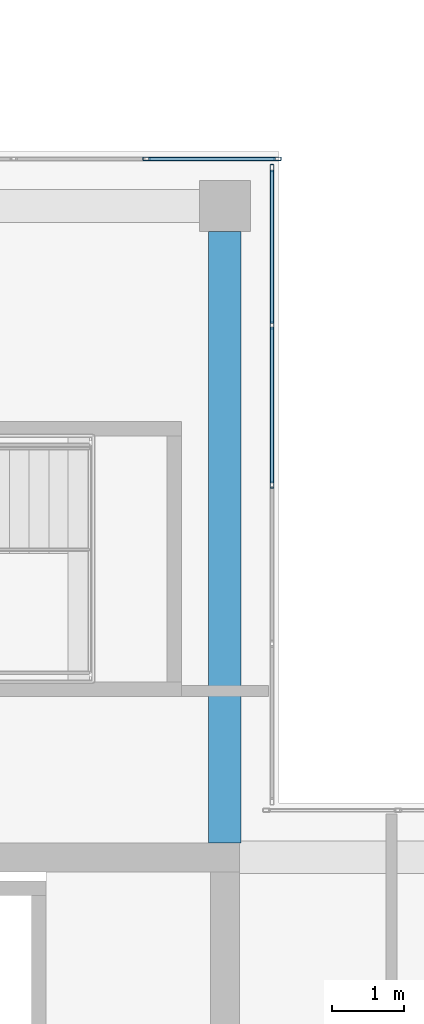
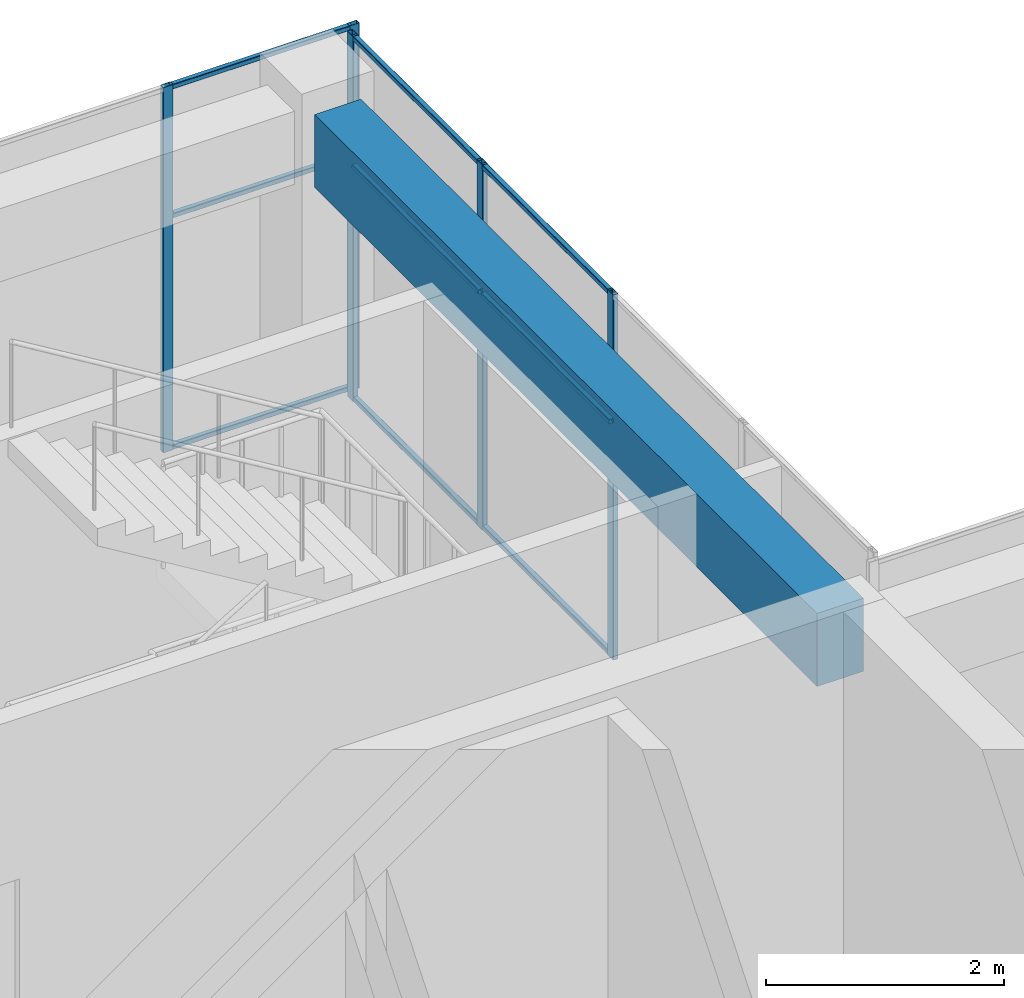
# One storey, part 33 of 43: 14 members, 1 beam, 2 elements without a shape of their own.
"""IFC4 building model written with IfcOpenShell, lengths in metres."""

from ifc_helpers import new_model, si_unit, direction, frame, origin, origin_2d, place, context, subcontext, project, spatial, rectangle, hollow_rectangle, extrude, material, layer, layer_set, material_profile, profile_set, type_object, element, aggregate, save


model = new_model("IFC4")

# Units and contexts
model_context = context("Model", 3, precision=1e-05, world=origin(), true_north=direction((0.0, 1.0)))
body_context = subcontext(model_context, "Body", "Model", "MODEL_VIEW")
ifc_project = project(units=[si_unit("LENGTHUNIT", "METRE"), si_unit("AREAUNIT", "SQUARE_METRE"), si_unit("VOLUMEUNIT", "CUBIC_METRE"), si_unit("PLANEANGLEUNIT", "RADIAN"), si_unit("MASSUNIT", "GRAM", prefix="KILO")], contexts=[model_context])

# Site, building, storey
site_placement = place(None, origin())
site = spatial("IfcSite", under=ifc_project, at=site_placement, CompositionType="ELEMENT")
building_placement = place(site_placement, origin())
building = spatial("IfcBuilding", under=site, at=building_placement, Name="Tuart Plaza Theatre", CompositionType="ELEMENT")
storey_placement = place(building_placement, frame((0.0, 0.0, 33.5)))
storey = spatial("IfcBuildingStorey", under=building, at=storey_placement, Name="L08", CompositionType="ELEMENT", Elevation=33.5)

# Beam
ifc_material_1 = material(Name="Concrete N40 (40 MPa)", Category="concrete")
ifc_material_profile_1 = material_profile(ifc_material_1, rectangle(XDim=0.449951171875, YDim=0.75, at=origin_2d()), Name="BEAM 450x750 Concrete N40 (40 MPa)")
ifc_profile_set_1 = profile_set([ifc_material_profile_1], Name="Concrete N40 (40 MPa)")
beam_type = type_object("IfcBeamType", Name="BEAM 450x750 Concrete N40 (40 MPa)", PredefinedType="BEAM", material=ifc_profile_set_1)
beam_placement = place(storey_placement, frame((141.0, 83.199951171875, 3.375), z_axis=(0.0, 1.0, 0.0), x_axis=(-1.0, 0.0, 0.0)))
element("IfcBeam", 1, at=beam_placement, inside=storey, type_object=beam_type, Name="RB273", PredefinedType="BEAM", context=body_context, shape_type="SweptSolid", body=[
    extrude(rectangle(XDim=0.449951171875, YDim=0.75, at=origin_2d()), origin(), (0.0, 0.0, 1.0), 8.449951171875),
])

# Curtain wall, members
ifc_material_2 = material(Name="Aluminium and glass", Category="aluminium")
ifc_layer_1 = layer(ifc_material_2, 0.10009765625)
ifc_layer_set_1 = layer_set([ifc_layer_1], Name="CURTAIN WALL 2000 module")
curtain_wall_type_1 = type_object("IfcCurtainWallType", Name="CURTAIN WALL 2000 module", PredefinedType="NOTDEFINED", material=ifc_layer_set_1)
curtain_wall_1_placement = place(storey_placement, origin())
curtain_wall_1 = element("IfcCurtainWall", 2, at=curtain_wall_1_placement, inside=storey, type_object=curtain_wall_type_1, Name="CW94", PredefinedType="NOTDEFINED")
ifc_material_3 = material(Name="Aluminium 6063-T5", Category="aluminium")
ifc_material_profile_2 = material_profile(ifc_material_3, hollow_rectangle(XDim=0.050048828125, YDim=0.10009765625, WallThickness=0.00390625, InnerFilletRadius=0.00390625, OuterFilletRadius=0.008056640625, at=origin_2d()), Name="RHS 100x50x4")
ifc_profile_set_2 = profile_set([ifc_material_profile_2], Name="Aluminium 6063-T5")
member_type_1 = type_object("IfcMemberType", Name="MULLION RHS 100x50x4", PredefinedType="MULLION", material=ifc_profile_set_2)
member_1_placement = place(storey_placement, frame((141.64990234375, 88.14990234375, 0.0), z_axis=(0.0, 0.0, 1.0), x_axis=(-1.0, 0.0, 0.0)))
member_1 = element("IfcMember", 3, at=member_1_placement, type_object=member_type_1, Name="CW94 mullion 3", PredefinedType="MULLION", context=body_context, shape_type="SweptSolid", body=[
    extrude(hollow_rectangle(XDim=0.050048828125, YDim=0.10009765625, WallThickness=0.00390625, InnerFilletRadius=0.00390625, OuterFilletRadius=0.008056640625, at=origin_2d()), origin(), (0.0, 0.0, 1.0), 3.75),
])
member_2_placement = place(storey_placement, frame((141.64990234375, 90.35009765625, 0.0), z_axis=(0.0, 0.0, 1.0), x_axis=(-1.0, 0.0, 0.0)))
member_2 = element("IfcMember", 4, at=member_2_placement, type_object=member_type_1, Name="CW94 mullion 4", PredefinedType="MULLION", context=body_context, shape_type="SweptSolid", body=[
    extrude(hollow_rectangle(XDim=0.050048828125, YDim=0.10009765625, WallThickness=0.00390625, InnerFilletRadius=0.00390625, OuterFilletRadius=0.008056640625, at=origin_2d()), origin(), (0.0, 0.0, 1.0), 3.75),
])
member_3_placement = place(storey_placement, frame((141.64990234375, 92.52490234375, 0.0), z_axis=(0.0, 0.0, 1.0), x_axis=(-1.0, 0.0, 0.0)))
member_3 = element("IfcMember", 5, at=member_3_placement, type_object=member_type_1, Name="CW94 mullion 5", PredefinedType="MULLION", context=body_context, shape_type="SweptSolid", body=[
    extrude(hollow_rectangle(XDim=0.050048828125, YDim=0.10009765625, WallThickness=0.00390625, InnerFilletRadius=0.00390625, OuterFilletRadius=0.008056640625, at=origin_2d()), origin(), (0.0, 0.0, 1.0), 3.75),
])

ifc_material_4 = material(Name="Aluminium and glass", Category="aluminium")
ifc_layer_2 = layer(ifc_material_4, 0.10009765625)
ifc_layer_set_2 = layer_set([ifc_layer_2], Name="CURTAIN WALL 1800 module")
curtain_wall_type_2 = type_object("IfcCurtainWallType", Name="CURTAIN WALL 1800 module", PredefinedType="NOTDEFINED", material=ifc_layer_set_2)
curtain_wall_2_placement = place(storey_placement, origin())
curtain_wall_2 = element("IfcCurtainWall", 6, at=curtain_wall_2_placement, inside=storey, type_object=curtain_wall_type_2, Name="CW95", PredefinedType="NOTDEFINED")
member_4_placement = place(storey_placement, frame((141.72509765625, 92.64990234375, 0.0), z_axis=(0.0, 0.0, 1.0), x_axis=(0.0, -1.0, 0.0)))
member_4 = element("IfcMember", 7, at=member_4_placement, type_object=member_type_1, Name="CW95 mullion 1", PredefinedType="MULLION", context=body_context, shape_type="SweptSolid", body=[
    extrude(hollow_rectangle(XDim=0.050048828125, YDim=0.10009765625, WallThickness=0.00390625, InnerFilletRadius=0.00390625, OuterFilletRadius=0.008056640625, at=origin_2d()), origin(), (0.0, 0.0, 1.0), 3.75),
])
member_5_placement = place(storey_placement, frame((139.916748046875, 92.64990234375, 0.0), z_axis=(0.0, 0.0, 1.0), x_axis=(0.0, -1.0, 0.0)))
member_5 = element("IfcMember", 8, at=member_5_placement, type_object=member_type_1, Name="CW95 mullion 2", PredefinedType="MULLION", context=body_context, shape_type="SweptSolid", body=[
    extrude(hollow_rectangle(XDim=0.050048828125, YDim=0.10009765625, WallThickness=0.00390625, InnerFilletRadius=0.00390625, OuterFilletRadius=0.008056640625, at=origin_2d()), origin(), (0.0, 0.0, 1.0), 3.75),
])

# Member
ifc_material_5 = material(Name="Aluminium 6063-T5", Category="aluminium")
ifc_material_profile_3 = material_profile(ifc_material_5, hollow_rectangle(XDim=0.050048828125, YDim=0.050048828125, WallThickness=0.00390625, InnerFilletRadius=0.00390625, OuterFilletRadius=0.008056640625, at=origin_2d()), Name="RHS 50x50x4")
ifc_profile_set_3 = profile_set([ifc_material_profile_3], Name="Aluminium 6063-T5")
member_type_2 = type_object("IfcMemberType", Name="TRANSOM RHS 50x50x4", PredefinedType="USERDEFINED", material=ifc_profile_set_3)
member_6_placement = place(storey_placement, frame((141.64990234375, 88.175048828125, 0.02490234375), z_axis=(0.0, 1.0, 0.0), x_axis=(-1.0, 0.0, 0.0)))
member_6 = element("IfcMember", 9, at=member_6_placement, type_object=member_type_2, Name="CW94 transom 3.1", ObjectType="TRANSOM", PredefinedType="USERDEFINED", context=body_context, shape_type="SweptSolid", body=[
    extrude(hollow_rectangle(XDim=0.050048828125, YDim=0.050048828125, WallThickness=0.00390625, InnerFilletRadius=0.00390625, OuterFilletRadius=0.008056640625, at=origin_2d()), origin(), (0.0, 0.0, 1.0), 2.14990234375),
])

member_7_placement = place(storey_placement, frame((141.64990234375, 88.175048828125, 2.39990234375), z_axis=(0.0, 1.0, 0.0), x_axis=(-1.0, 0.0, 0.0)))
member_7 = element("IfcMember", 10, at=member_7_placement, type_object=member_type_2, Name="CW94 transom 3.2", ObjectType="TRANSOM", PredefinedType="USERDEFINED", context=body_context, shape_type="SweptSolid", body=[
    extrude(hollow_rectangle(XDim=0.050048828125, YDim=0.050048828125, WallThickness=0.00390625, InnerFilletRadius=0.00390625, OuterFilletRadius=0.008056640625, at=origin_2d()), origin(), (0.0, 0.0, 1.0), 2.14990234375),
])

member_8_placement = place(storey_placement, frame((141.64990234375, 88.175048828125, 3.72509765625), z_axis=(0.0, 1.0, 0.0), x_axis=(-1.0, 0.0, 0.0)))
member_8 = element("IfcMember", 11, at=member_8_placement, type_object=member_type_2, Name="CW94 transom 3.3", ObjectType="TRANSOM", PredefinedType="USERDEFINED", context=body_context, shape_type="SweptSolid", body=[
    extrude(hollow_rectangle(XDim=0.050048828125, YDim=0.050048828125, WallThickness=0.00390625, InnerFilletRadius=0.00390625, OuterFilletRadius=0.008056640625, at=origin_2d()), origin(), (0.0, 0.0, 1.0), 2.14990234375),
])

member_9_placement = place(storey_placement, frame((141.64990234375, 90.375, 0.02490234375), z_axis=(0.0, 1.0, 0.0), x_axis=(-1.0, 0.0, 0.0)))
member_9 = element("IfcMember", 12, at=member_9_placement, type_object=member_type_2, Name="CW94 transom 4.1", ObjectType="TRANSOM", PredefinedType="USERDEFINED", context=body_context, shape_type="SweptSolid", body=[
    extrude(hollow_rectangle(XDim=0.050048828125, YDim=0.050048828125, WallThickness=0.00390625, InnerFilletRadius=0.00390625, OuterFilletRadius=0.008056640625, at=origin_2d()), origin(), (0.0, 0.0, 1.0), 2.125),
])

member_10_placement = place(storey_placement, frame((141.64990234375, 90.375, 2.39990234375), z_axis=(0.0, 1.0, 0.0), x_axis=(-1.0, 0.0, 0.0)))
member_10 = element("IfcMember", 13, at=member_10_placement, type_object=member_type_2, Name="CW94 transom 4.2", ObjectType="TRANSOM", PredefinedType="USERDEFINED", context=body_context, shape_type="SweptSolid", body=[
    extrude(hollow_rectangle(XDim=0.050048828125, YDim=0.050048828125, WallThickness=0.00390625, InnerFilletRadius=0.00390625, OuterFilletRadius=0.008056640625, at=origin_2d()), origin(), (0.0, 0.0, 1.0), 2.125),
])

member_11_placement = place(storey_placement, frame((141.64990234375, 90.375, 3.72509765625), z_axis=(0.0, 1.0, 0.0), x_axis=(-1.0, 0.0, 0.0)))
member_11 = element("IfcMember", 14, at=member_11_placement, type_object=member_type_2, Name="CW94 transom 4.3", ObjectType="TRANSOM", PredefinedType="USERDEFINED", context=body_context, shape_type="SweptSolid", body=[
    extrude(hollow_rectangle(XDim=0.050048828125, YDim=0.050048828125, WallThickness=0.00390625, InnerFilletRadius=0.00390625, OuterFilletRadius=0.008056640625, at=origin_2d()), origin(), (0.0, 0.0, 1.0), 2.125),
])

aggregate(curtain_wall_1, [member_1, member_2, member_3, member_6, member_7, member_8, member_9, member_10, member_11])

member_12_placement = place(storey_placement, frame((141.699951171875, 92.64990234375, 0.02490234375), z_axis=(-1.0, 0.0, 0.0), x_axis=(0.0, -1.0, 0.0)))
member_12 = element("IfcMember", 15, at=member_12_placement, type_object=member_type_2, Name="CW95 transom 1.1", ObjectType="TRANSOM", PredefinedType="USERDEFINED", context=body_context, shape_type="SweptSolid", body=[
    extrude(hollow_rectangle(XDim=0.050048828125, YDim=0.050048828125, WallThickness=0.00390625, InnerFilletRadius=0.00390625, OuterFilletRadius=0.008056640625, at=origin_2d()), origin(), (0.0, 0.0, 1.0), 1.75830078125),
])

member_13_placement = place(storey_placement, frame((141.699951171875, 92.64990234375, 2.39990234375), z_axis=(-1.0, 0.0, 0.0), x_axis=(0.0, -1.0, 0.0)))
member_13 = element("IfcMember", 16, at=member_13_placement, type_object=member_type_2, Name="CW95 transom 1.2", ObjectType="TRANSOM", PredefinedType="USERDEFINED", context=body_context, shape_type="SweptSolid", body=[
    extrude(hollow_rectangle(XDim=0.050048828125, YDim=0.050048828125, WallThickness=0.00390625, InnerFilletRadius=0.00390625, OuterFilletRadius=0.008056640625, at=origin_2d()), origin(), (0.0, 0.0, 1.0), 1.75830078125),
])

member_14_placement = place(storey_placement, frame((141.699951171875, 92.64990234375, 3.72509765625), z_axis=(-1.0, 0.0, 0.0), x_axis=(0.0, -1.0, 0.0)))
member_14 = element("IfcMember", 17, at=member_14_placement, type_object=member_type_2, Name="CW95 transom 1.3", ObjectType="TRANSOM", PredefinedType="USERDEFINED", context=body_context, shape_type="SweptSolid", body=[
    extrude(hollow_rectangle(XDim=0.050048828125, YDim=0.050048828125, WallThickness=0.00390625, InnerFilletRadius=0.00390625, OuterFilletRadius=0.008056640625, at=origin_2d()), origin(), (0.0, 0.0, 1.0), 1.75830078125),
])

aggregate(curtain_wall_2, [member_4, member_5, member_12, member_13, member_14])

save(model, "model.ifc")
